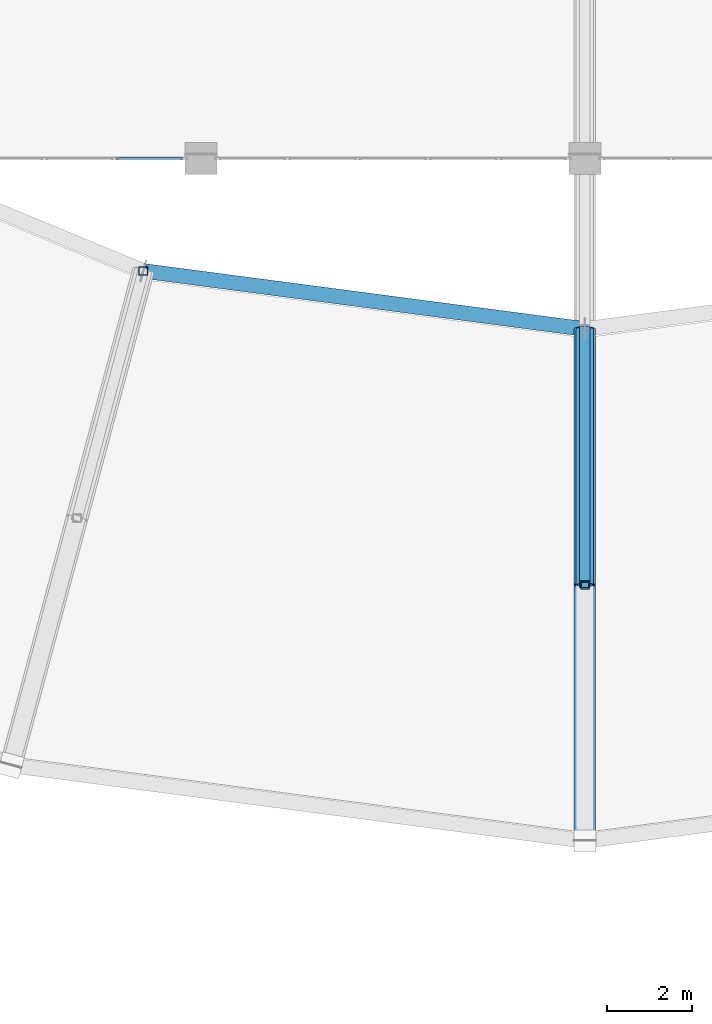
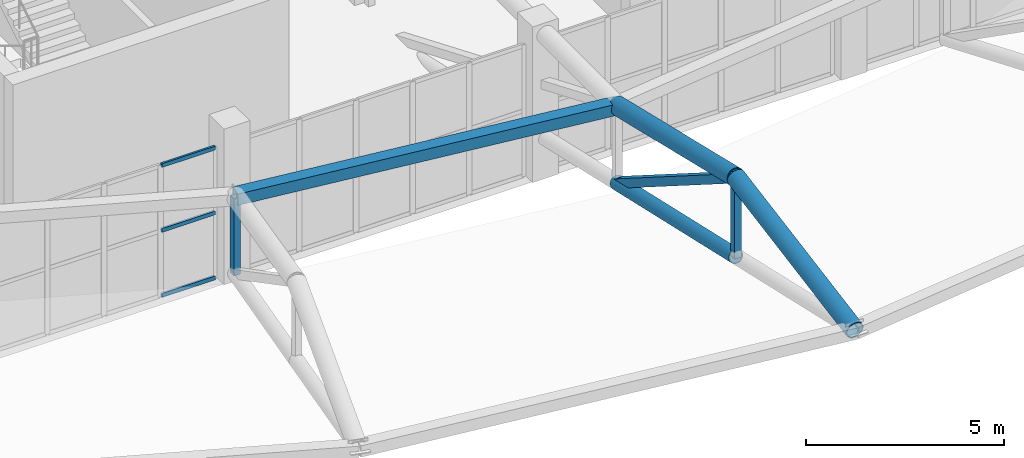
# One storey, part 25 of 167: 10 members, 1 element without a shape of its own.
"""IFC4 building model written with IfcOpenShell, lengths in metres."""

from ifc_helpers import new_model, si_unit, direction, frame, origin, origin_2d, place, context, subcontext, project, spatial, hollow_rectangle, hollow_circle, extrude, material, layer, layer_set, material_profile, profile_set, type_object, element, aggregate, save


model = new_model("IFC4")

# Units and contexts
model_context = context("Model", 3, precision=1e-05, world=origin(), true_north=direction((0.0, 1.0)))
body_context = subcontext(model_context, "Body", "Model", "MODEL_VIEW")
ifc_project = project(units=[si_unit("LENGTHUNIT", "METRE"), si_unit("AREAUNIT", "SQUARE_METRE"), si_unit("VOLUMEUNIT", "CUBIC_METRE"), si_unit("PLANEANGLEUNIT", "RADIAN"), si_unit("MASSUNIT", "GRAM", prefix="KILO")], contexts=[model_context])

# Site, building, storey
site_placement = place(None, origin())
site = spatial("IfcSite", under=ifc_project, at=site_placement, CompositionType="ELEMENT")
building_placement = place(site_placement, origin())
building = spatial("IfcBuilding", under=site, at=building_placement, Name="Dornveld Trade and Exhibition Forum", CompositionType="ELEMENT")
storey_placement = place(building_placement, frame((0.0, 0.0, 16.800048828125)))
storey = spatial("IfcBuildingStorey", under=building, at=storey_placement, Name="L03", CompositionType="ELEMENT", Elevation=16.800048828125)

# Curtain wall, members
ifc_material_1 = material(Name="Dark-bronze anodised aluminium and low-E glass", Category="aluminium")
ifc_layer = layer(ifc_material_1, 0.193115234375)
ifc_layer_set = layer_set([ifc_layer], Name="Dark-bronze anodised aluminium and low-E glass")
curtain_wall_type = type_object("IfcCurtainWallType", Name="CW-SYS-17", PredefinedType="USERDEFINED", material=ifc_layer_set)
curtain_wall_placement = place(storey_placement, origin())
curtain_wall = element("IfcCurtainWall", 1, at=curtain_wall_placement, inside=storey, type_object=curtain_wall_type, Name="L03 unitised curtain wall 53", ObjectType="UNITISED_CURTAIN_WALL", PredefinedType="USERDEFINED")
ifc_material_2 = material(Name="Dark-bronze anodised aluminium", Category="aluminium")
ifc_material_profile_1 = material_profile(ifc_material_2, hollow_rectangle(XDim=0.06005859375, YDim=0.1201171875, WallThickness=0.00390625, at=origin_2d()), Name="RHS 120x60x4")
ifc_profile_set_1 = profile_set([ifc_material_profile_1], Name="Dark-bronze anodised aluminium")
member_type_1 = type_object("IfcMemberType", Name="CW-TRN-120", PredefinedType="USERDEFINED", material=ifc_profile_set_1)
member_1_placement = place(storey_placement, frame((106.00732421875, 45.0, 0.02587890625), z_axis=(1.0, 0.0, 0.0), x_axis=(0.0, 1.0, 0.0)))
member_1 = element("IfcMember", 2, at=member_1_placement, type_object=member_type_1, Name="CW-17 transom 5.1", ObjectType="TRANSOM", PredefinedType="USERDEFINED", context=body_context, shape_type="SweptSolid", body=[
    extrude(hollow_rectangle(XDim=0.06005859375, YDim=0.1201171875, WallThickness=0.00390625, at=origin_2d()), origin(), (0.0, 0.0, 1.0), 1.561767578125),
])
member_2_placement = place(storey_placement, frame((106.00732421875, 45.0, 2.02783203125), z_axis=(1.0, 0.0, 0.0), x_axis=(0.0, 1.0, 0.0)))
member_2 = element("IfcMember", 3, at=member_2_placement, type_object=member_type_1, Name="CW-17 transom 5.2", ObjectType="TRANSOM", PredefinedType="USERDEFINED", context=body_context, shape_type="SweptSolid", body=[
    extrude(hollow_rectangle(XDim=0.06005859375, YDim=0.1201171875, WallThickness=0.00390625, at=origin_2d()), origin(), (0.0, 0.0, 1.0), 1.561767578125),
])
member_3_placement = place(storey_placement, frame((106.00732421875, 45.0, 4.030029296875), z_axis=(1.0, 0.0, 0.0), x_axis=(0.0, 1.0, 0.0)))
member_3 = element("IfcMember", 4, at=member_3_placement, type_object=member_type_1, Name="CW-17 transom 5.3", ObjectType="TRANSOM", PredefinedType="USERDEFINED", context=body_context, shape_type="SweptSolid", body=[
    extrude(hollow_rectangle(XDim=0.06005859375, YDim=0.1201171875, WallThickness=0.00390625, at=origin_2d()), origin(), (0.0, 0.0, 1.0), 1.561767578125),
])
aggregate(curtain_wall, [member_1, member_2, member_3])

# Members
ifc_material_3 = material(Name="Steel S355J2", Category="steel")
ifc_material_profile_2 = material_profile(ifc_material_3, hollow_circle(Radius=0.203125, WallThickness=0.02001953125, at=origin_2d()), Name="CHS 406.4x20")
ifc_profile_set_2 = profile_set([ifc_material_profile_2], Name="Steel S355J2")
member_type_2 = type_object("IfcMemberType", Name="MEM-DISC-BC", PredefinedType="CHORD", material=ifc_profile_set_2)
member_4_placement = place(storey_placement, frame((117.0, 41.0, 2.07568359375), z_axis=(0.0, -0.975188175401, 0.221377556582), x_axis=(1.0, 0.0, 0.0)))
element("IfcMember", 5, at=member_4_placement, inside=storey, type_object=member_type_2, Name="Roof disc radial R19 conical bottom chord 3", PredefinedType="CHORD", context=body_context, shape_type="SweptSolid", body=[
    extrude(hollow_circle(Radius=0.203125, WallThickness=0.02001953125, at=origin_2d()), origin(), (0.0, 0.0, 1.0), 6.152587890625),
])
ifc_material_4 = material(Name="Steel S355J2", Category="steel")
ifc_material_profile_3 = material_profile(ifc_material_4, hollow_rectangle(XDim=0.35009765625, YDim=0.35009765625, WallThickness=0.01611328125, at=origin_2d()), Name="SHS 350x350x16")
ifc_profile_set_3 = profile_set([ifc_material_profile_3], Name="Steel S355J2")
member_type_3 = type_object("IfcMemberType", Name="MEM-DISC-RING", PredefinedType="CHORD", material=ifc_profile_set_3)
member_5_placement = place(storey_placement, frame((106.647216796875, 42.363037109375, 4.449951171875), z_axis=(0.991444026761, -0.130532531574, 0.0), x_axis=(0.130532531574, 0.991444026761, 0.0)))
element("IfcMember", 6, at=member_5_placement, inside=storey, type_object=member_type_3, Name="Roof disc ring 3 chord 18", PredefinedType="CHORD", context=body_context, shape_type="SweptSolid", body=[
    extrude(hollow_rectangle(XDim=0.35009765625, YDim=0.35009765625, WallThickness=0.01611328125, at=origin_2d()), origin(), (0.0, 0.0, 1.0), 10.442138671875),
])
ifc_material_5 = material(Name="Steel S355J2", Category="steel")
ifc_material_profile_4 = material_profile(ifc_material_5, hollow_rectangle(XDim=0.199951171875, YDim=0.199951171875, WallThickness=0.010009765625, at=origin_2d()), Name="SHS 200x200x10")
ifc_profile_set_4 = profile_set([ifc_material_profile_4], Name="Steel S355J2")
member_type_4 = type_object("IfcMemberType", Name="MEM-DISC-STR", PredefinedType="STRUT", material=ifc_profile_set_4)
member_6_placement = place(storey_placement, frame((106.647216796875, 42.363037109375, 2.07568359375), z_axis=(0.0, 0.0, 1.0), x_axis=(1.0, 0.0, 0.0)))
element("IfcMember", 7, at=member_6_placement, inside=storey, type_object=member_type_4, Name="Roof disc radial R18 strut 3", PredefinedType="STRUT", context=body_context, shape_type="SweptSolid", body=[
    extrude(hollow_rectangle(XDim=0.199951171875, YDim=0.199951171875, WallThickness=0.010009765625, at=origin_2d()), origin(), (0.0, 0.0, 1.0), 2.374267578125),
])
member_7_placement = place(storey_placement, frame((117.0, 35.0, 3.437744140625), z_axis=(0.0, 0.0, 1.0), x_axis=(1.0, 0.0, 0.0)))
element("IfcMember", 8, at=member_7_placement, inside=storey, type_object=member_type_4, Name="Roof disc radial R19 strut 4", PredefinedType="STRUT", context=body_context, shape_type="SweptSolid", body=[
    extrude(hollow_rectangle(XDim=0.199951171875, YDim=0.199951171875, WallThickness=0.010009765625, at=origin_2d()), origin(), (0.0, 0.0, 1.0), 2.437255859375),
])
ifc_material_6 = material(Name="Steel S355J2", Category="steel")
ifc_material_profile_5 = material_profile(ifc_material_6, hollow_circle(Radius=0.25390625, WallThickness=0.02490234375, at=origin_2d()), Name="CHS 508x25")
ifc_profile_set_5 = profile_set([ifc_material_profile_5], Name="Steel S355J2")
member_type_5 = type_object("IfcMemberType", Name="MEM-DISC-TC", PredefinedType="CHORD", material=ifc_profile_set_5)
member_8_placement = place(storey_placement, frame((117.0, 41.0, 4.449951171875), z_axis=(0.0, -0.972934770629, 0.231079925788), x_axis=(1.0, 0.0, 0.0)))
element("IfcMember", 9, at=member_8_placement, inside=storey, type_object=member_type_5, Name="Roof disc radial R19 top chord 3", PredefinedType="CHORD", context=body_context, shape_type="SweptSolid", body=[
    extrude(hollow_circle(Radius=0.25390625, WallThickness=0.02490234375, at=origin_2d()), origin(), (0.0, 0.0, 1.0), 6.1669921875),
])
member_9_placement = place(storey_placement, frame((117.0, 35.0, 5.875), z_axis=(0.0, -0.984327409014, -0.176350650305), x_axis=(1.0, 0.0, 0.0)))
element("IfcMember", 10, at=member_9_placement, inside=storey, type_object=member_type_5, Name="Roof disc radial R19 top chord 4", PredefinedType="CHORD", context=body_context, shape_type="SweptSolid", body=[
    extrude(hollow_circle(Radius=0.25390625, WallThickness=0.02490234375, at=origin_2d()), origin(), (0.0, 0.0, 1.0), 6.095458984375),
])
ifc_material_7 = material(Name="Steel S355J2", Category="steel")
ifc_material_profile_6 = material_profile(ifc_material_7, hollow_rectangle(XDim=0.25, YDim=0.25, WallThickness=0.012451171875, at=origin_2d()), Name="SHS 250x250x12.5")
ifc_profile_set_6 = profile_set([ifc_material_profile_6], Name="Steel S355J2")
member_type_6 = type_object("IfcMemberType", Name="MEM-DISC-WEB", PredefinedType="BRACE", material=ifc_profile_set_6)
member_10_placement = place(storey_placement, frame((117.0, 41.0, 2.07568359375), z_axis=(0.0, -0.844862583121, 0.534983378846), x_axis=(1.0, 0.0, 0.0)))
element("IfcMember", 11, at=member_10_placement, inside=storey, type_object=member_type_6, Name="Roof disc radial R19 web 3", PredefinedType="BRACE", context=body_context, shape_type="SweptSolid", body=[
    extrude(hollow_rectangle(XDim=0.25, YDim=0.25, WallThickness=0.012451171875, at=origin_2d()), origin(), (0.0, 0.0, 1.0), 7.101806640625),
])

save(model, "model.ifc")
